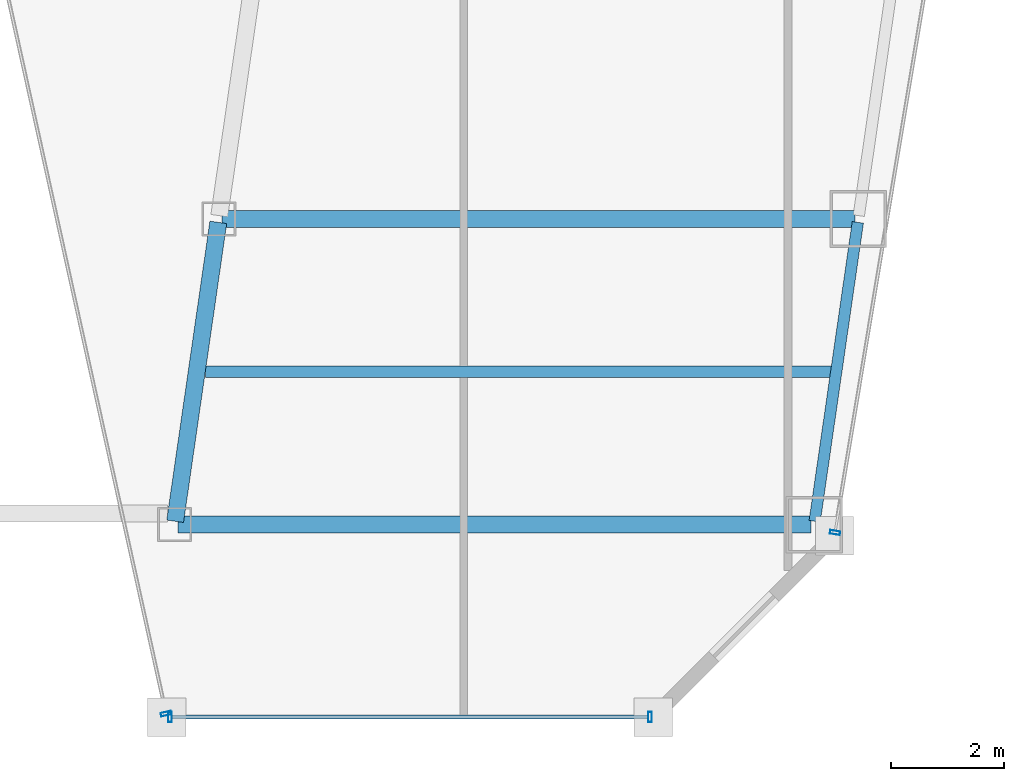
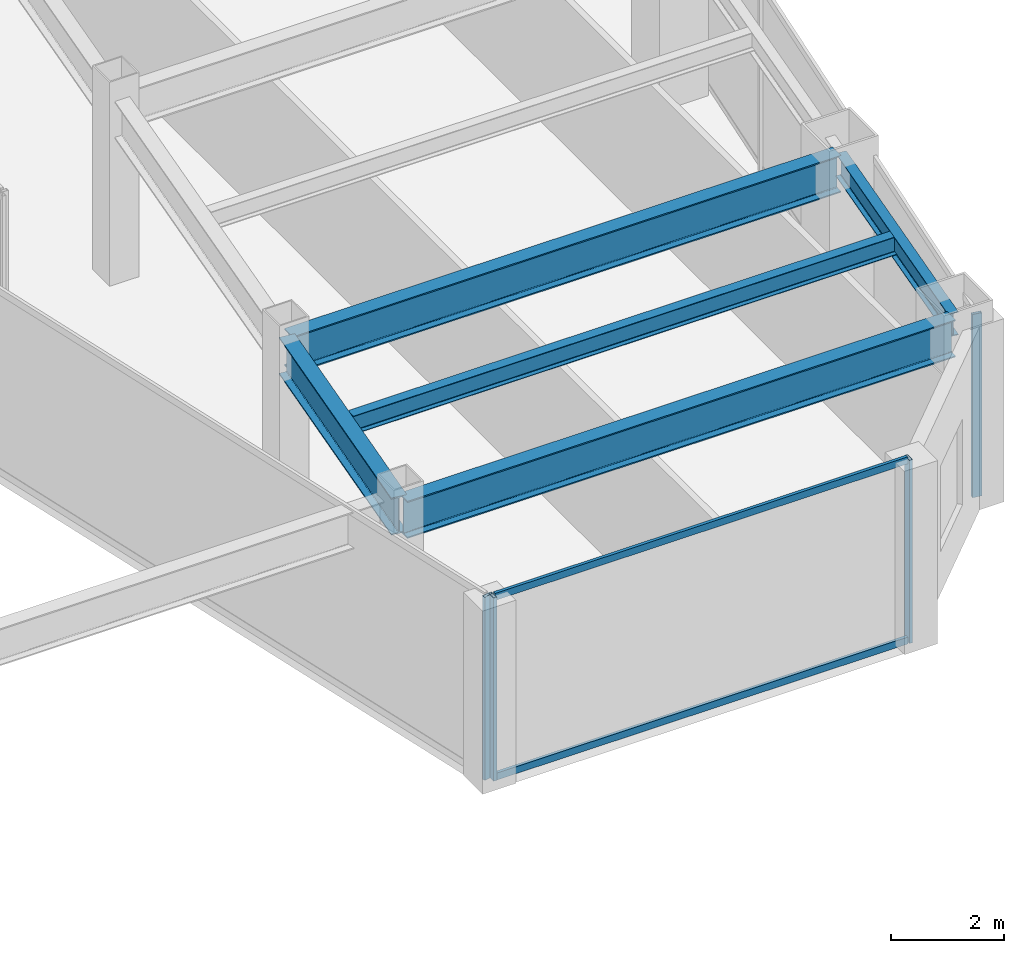
# One storey, part 13 of 36: 6 members, 5 beams, 3 elements without a shape of their own.
"""IFC4 building model written with IfcOpenShell, lengths in metres."""

from ifc_helpers import new_model, si_unit, direction, frame, origin, origin_2d, place, context, subcontext, project, spatial, hollow_rectangle, i_section, extrude, material, material_profile, profile_set, type_object, element, aggregate, save


model = new_model("IFC4")

# Units and contexts
model_context = context("Model", 3, precision=1e-05, world=origin(), true_north=direction((0.0, 1.0)))
body_context = subcontext(model_context, "Body", "Model", "MODEL_VIEW")
ifc_project = project(units=[si_unit("LENGTHUNIT", "METRE"), si_unit("AREAUNIT", "SQUARE_METRE"), si_unit("VOLUMEUNIT", "CUBIC_METRE"), si_unit("PLANEANGLEUNIT", "RADIAN"), si_unit("MASSUNIT", "GRAM", prefix="KILO")], contexts=[model_context])

# Site, building, storey
site_placement = place(None, origin())
site = spatial("IfcSite", under=ifc_project, at=site_placement, CompositionType="ELEMENT")
building_placement = place(site_placement, origin())
building = spatial("IfcBuilding", under=site, at=building_placement, Name="Saevonmaru Cultural Tower", CompositionType="ELEMENT")
storey_placement = place(building_placement, frame((0.0, 0.0, 119.199951171875)))
storey = spatial("IfcBuildingStorey", under=building, at=storey_placement, Name="L25", CompositionType="ELEMENT", Elevation=119.199951171875)

# Beams
ifc_material_1 = material(Name="Steel SM420", Category="steel")
ifc_material_profile_1 = material_profile(ifc_material_1, i_section(OverallWidth=0.300048828125, OverallDepth=0.800048828125, WebThickness=0.013916015625, FlangeThickness=0.02587890625, FilletRadius=0.028076171875, at=origin_2d()), Name="H-800x300x14x26")
ifc_profile_set_1 = profile_set([ifc_material_profile_1], Name="Steel SM420")
beam_type_1 = type_object("IfcBeamType", Name="BM-G-H800", PredefinedType="BEAM", material=ifc_profile_set_1)
beam_1_placement = place(storey_placement, frame((37.300537109375, 10.659423828125, 3.550048828125), z_axis=(0.142977693794, 0.989725911087, 0.0), x_axis=(-0.989725911087, 0.142977693794, 0.0)))
element("IfcBeam", 1, at=beam_1_placement, inside=storey, type_object=beam_type_1, Name="L25 East Atrium Girder 1", PredefinedType="BEAM", context=body_context, shape_type="SweptSolid", body=[
    extrude(i_section(OverallWidth=0.300048828125, OverallDepth=0.800048828125, WebThickness=0.013916015625, FlangeThickness=0.02587890625, FilletRadius=0.028076171875, at=origin_2d()), origin(), (0.0, 0.0, 1.0), 5.336181640625),
])
for number, where, z_axis, x_axis, name in (
    (2, (37.35205078125, 10.60009765625, 3.550048828125), (1.0, 0.0, 0.0), (0.0, 1.0, 0.0), "L25 East Wing Transverse Girder 1"),
    (3, (38.132080078125, 16.0, 3.550048828125), (1.0, 0.0, 0.0), (0.0, 1.0, 0.0), "L25 East Wing Transverse Girder 2"),
):
    element("IfcBeam", number, at=place(storey_placement, frame(where, z_axis=z_axis, x_axis=x_axis)), inside=storey, type_object=beam_type_1, Name=name, PredefinedType="BEAM", context=body_context, shape_type="SweptSolid", body=[
        extrude(i_section(OverallWidth=0.300048828125, OverallDepth=0.800048828125, WebThickness=0.013916015625, FlangeThickness=0.02587890625, FilletRadius=0.028076171875, at=origin_2d()), origin(), (0.0, 0.0, 1.0), 11.179931640625),
    ])
ifc_material_2 = material(Name="Steel SM355", Category="steel")
ifc_material_profile_2 = material_profile(ifc_material_2, i_section(OverallWidth=0.199951171875, OverallDepth=0.39990234375, WebThickness=0.008056640625, FlangeThickness=0.012939453125, FilletRadius=0.01611328125, at=origin_2d()), Name="H-400x200x8x13")
ifc_profile_set_2 = profile_set([ifc_material_profile_2], Name="Steel SM355")
beam_type_2 = type_object("IfcBeamType", Name="BM-J-H400", PredefinedType="JOIST", material=ifc_profile_set_2)
beam_2_placement = place(storey_placement, frame((37.840087890625, 13.300048828125, 3.75), z_axis=(1.0, 0.0, 0.0), x_axis=(0.0, 1.0, 0.0)))
element("IfcBeam", 4, at=beam_2_placement, inside=storey, type_object=beam_type_2, Name="L25 East Wing Floor Joist 1", PredefinedType="JOIST", context=body_context, shape_type="SweptSolid", body=[
    extrude(i_section(OverallWidth=0.199951171875, OverallDepth=0.39990234375, WebThickness=0.008056640625, FlangeThickness=0.012939453125, FilletRadius=0.01611328125, at=origin_2d()), origin(), (0.0, 0.0, 1.0), 11.08203125),
])
ifc_material_profile_3 = material_profile(ifc_material_2, i_section(OverallWidth=0.199951171875, OverallDepth=0.5, WebThickness=0.010009765625, FlangeThickness=0.01611328125, FilletRadius=0.02001953125, at=origin_2d()), Name="H-500x200x10x16")
ifc_profile_set_3 = profile_set([ifc_material_profile_3], Name="Steel SM355")
beam_type_3 = type_object("IfcBeamType", Name="BM-SP-H500", PredefinedType="SPANDREL", material=ifc_profile_set_3)
beam_3_placement = place(storey_placement, frame((48.6005859375, 10.659423828125, 3.699951171875), z_axis=(0.1429328758, 0.989732384544, 0.0), x_axis=(-0.989732384544, 0.1429328758, 0.0)))
element("IfcBeam", 5, at=beam_3_placement, inside=storey, type_object=beam_type_3, Name="L25 East Splayed Spandrel 1", PredefinedType="SPANDREL", context=body_context, shape_type="SweptSolid", body=[
    extrude(i_section(OverallWidth=0.199951171875, OverallDepth=0.5, WebThickness=0.010009765625, FlangeThickness=0.01611328125, FilletRadius=0.02001953125, at=origin_2d()), origin(), (0.0, 0.0, 1.0), 5.3359375),
])

# Curtain wall, member
ifc_material_3 = material(Name="Satin Bronze Anodised Aluminium", Category="aluminium")
curtain_wall_type = type_object("IfcCurtainWallType", Name="CW-TYP-A", PredefinedType="NOTDEFINED", material=ifc_material_3)
curtain_wall_1_placement = place(storey_placement, origin())
curtain_wall_1 = element("IfcCurtainWall", 6, at=curtain_wall_1_placement, inside=storey, type_object=curtain_wall_type, Name="L25 Unitised Curtain Wall E5", PredefinedType="NOTDEFINED")
ifc_material_profile_4 = material_profile(ifc_material_3, hollow_rectangle(XDim=0.06494140625, YDim=0.179931640625, WallThickness=0.00390625, at=origin_2d()), Name="ALU-MULL-180x65x4")
ifc_profile_set_4 = profile_set([ifc_material_profile_4], Name="Satin Bronze Anodised Aluminium")
member_type_1 = type_object("IfcMemberType", Name="ML-CW-180x65", PredefinedType="MULLION", material=ifc_profile_set_4)
member_1_placement = place(storey_placement, frame((37.13818359375, 7.258544921875, 0.0), z_axis=(0.0, 0.0, 1.0), x_axis=(0.215413319953, -0.976522965212, 0.0)))
member_1 = element("IfcMember", 7, at=member_1_placement, type_object=member_type_1, Name="CW-TW-L25-E5 mullion 2", PredefinedType="MULLION", context=body_context, shape_type="SweptSolid", body=[
    extrude(hollow_rectangle(XDim=0.06494140625, YDim=0.179931640625, WallThickness=0.00390625, at=origin_2d()), origin(), (0.0, 0.0, 1.0), 3.949951171875),
])
aggregate(curtain_wall_1, [member_1])

# Curtain wall, members
curtain_wall_2_placement = place(storey_placement, origin())
curtain_wall_2 = element("IfcCurtainWall", 8, at=curtain_wall_2_placement, inside=storey, type_object=curtain_wall_type, Name="L25 Unitised Curtain Wall E6", PredefinedType="NOTDEFINED")
member_2_placement = place(storey_placement, frame((37.211181640625, 7.199951171875, 0.0), z_axis=(0.0, 0.0, 1.0), x_axis=(1.0, 0.0, 0.0)))
member_2 = element("IfcMember", 9, at=member_2_placement, type_object=member_type_1, Name="CW-TW-L25-E6 mullion 1", PredefinedType="MULLION", context=body_context, shape_type="SweptSolid", body=[
    extrude(hollow_rectangle(XDim=0.06494140625, YDim=0.179931640625, WallThickness=0.00390625, at=origin_2d()), origin(), (0.0, 0.0, 1.0), 3.949951171875),
])
member_3_placement = place(storey_placement, frame((45.691162109375, 7.199951171875, 0.0), z_axis=(0.0, 0.0, 1.0), x_axis=(1.0, 0.0, 0.0)))
member_3 = element("IfcMember", 10, at=member_3_placement, type_object=member_type_1, Name="CW-TW-L25-E6 mullion 2", PredefinedType="MULLION", context=body_context, shape_type="SweptSolid", body=[
    extrude(hollow_rectangle(XDim=0.06494140625, YDim=0.179931640625, WallThickness=0.00390625, at=origin_2d()), origin(), (0.0, 0.0, 1.0), 3.949951171875),
])

# Curtain wall, member
curtain_wall_3_placement = place(storey_placement, origin())
curtain_wall_3 = element("IfcCurtainWall", 11, at=curtain_wall_3_placement, inside=storey, type_object=curtain_wall_type, Name="L25 Unitised Curtain Wall E8", PredefinedType="NOTDEFINED")
member_4_placement = place(storey_placement, frame((48.9609375, 10.459228515625, 0.0), z_axis=(0.0, 0.0, 1.0), x_axis=(0.163998702345, 0.986460554523, 0.0)))
member_4 = element("IfcMember", 12, at=member_4_placement, type_object=member_type_1, Name="CW-TW-L25-E8 mullion 1", PredefinedType="MULLION", context=body_context, shape_type="SweptSolid", body=[
    extrude(hollow_rectangle(XDim=0.06494140625, YDim=0.179931640625, WallThickness=0.00390625, at=origin_2d()), origin(), (0.0, 0.0, 1.0), 3.949951171875),
])
aggregate(curtain_wall_3, [member_4])

# Member
ifc_material_profile_5 = material_profile(ifc_material_3, hollow_rectangle(XDim=0.06494140625, YDim=0.14990234375, WallThickness=0.00390625, at=origin_2d()), Name="ALU-TRAN-150x65x4")
ifc_profile_set_5 = profile_set([ifc_material_profile_5], Name="Satin Bronze Anodised Aluminium")
member_type_2 = type_object("IfcMemberType", Name="TR-CW-150x65", PredefinedType="USERDEFINED", material=ifc_profile_set_5)
member_5_placement = place(storey_placement, frame((37.24365234375, 7.199951171875, 0.032470703125), z_axis=(1.0, 0.0, 0.0), x_axis=(0.0, 1.0, 0.0)))
member_5 = element("IfcMember", 13, at=member_5_placement, type_object=member_type_2, Name="CW-TW-L25-E6 transom 1.1", ObjectType="TRANSOM", PredefinedType="USERDEFINED", context=body_context, shape_type="SweptSolid", body=[
    extrude(hollow_rectangle(XDim=0.06494140625, YDim=0.14990234375, WallThickness=0.00390625, at=origin_2d()), origin(), (0.0, 0.0, 1.0), 8.4150390625),
])

member_6_placement = place(storey_placement, frame((37.24365234375, 7.199951171875, 3.91748046875), z_axis=(1.0, 0.0, 0.0), x_axis=(0.0, 1.0, 0.0)))
member_6 = element("IfcMember", 14, at=member_6_placement, type_object=member_type_2, Name="CW-TW-L25-E6 transom 1.2", ObjectType="TRANSOM", PredefinedType="USERDEFINED", context=body_context, shape_type="SweptSolid", body=[
    extrude(hollow_rectangle(XDim=0.06494140625, YDim=0.14990234375, WallThickness=0.00390625, at=origin_2d()), origin(), (0.0, 0.0, 1.0), 8.4150390625),
])

aggregate(curtain_wall_2, [member_2, member_3, member_5, member_6])

save(model, "model.ifc")
